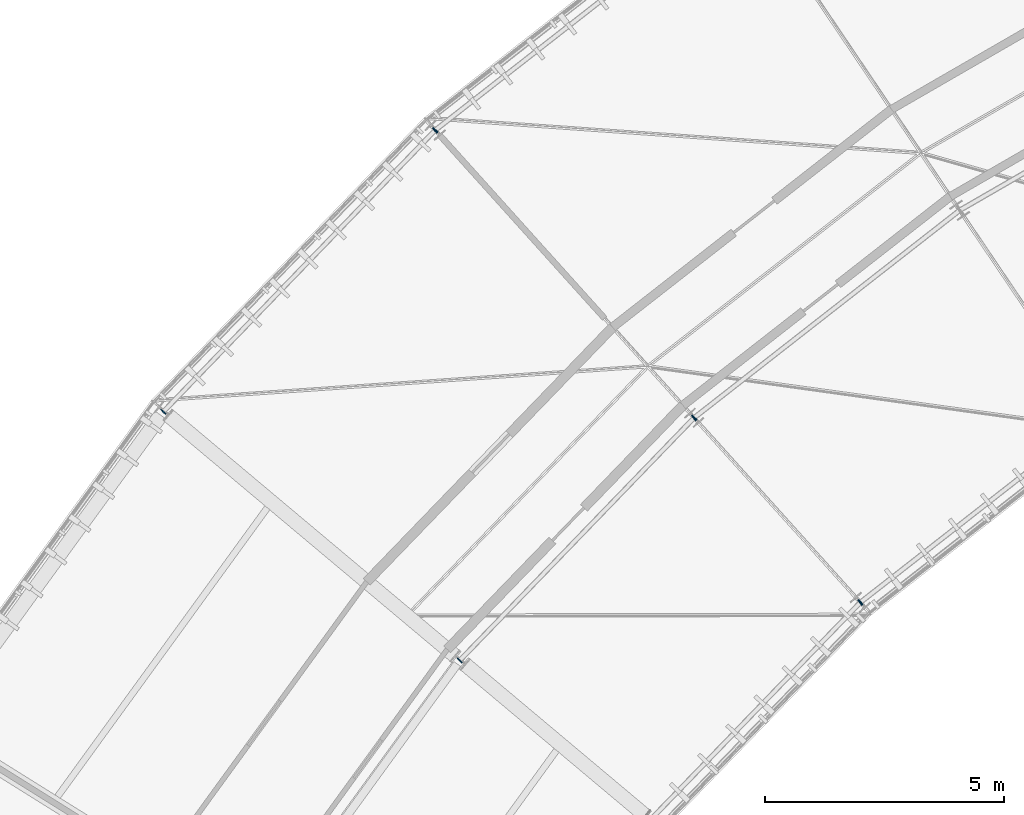
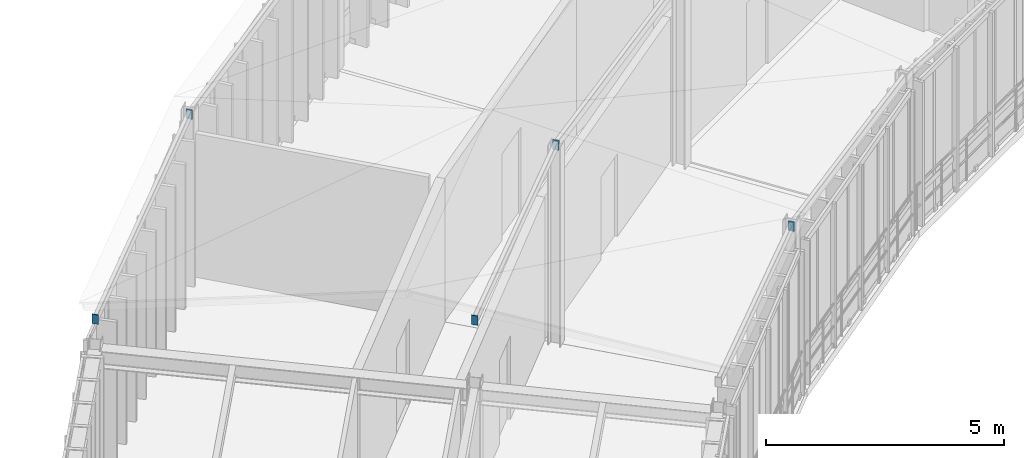
# One storey, part 15 of 25: 8 plates.
"""IFC4 building model written with IfcOpenShell, lengths in metres."""

import ifcopenshell
import ifcopenshell.guid

model = None  # the IFC model being written
_history = None  # IfcOwnerHistory: only IFC2X3 demands one
_inside = {}  # id of a spatial element -> (the spatial element, [elements in it])
_under = {}  # id of a project, library or spatial element -> (it, [spatial elements below it])
_declared = {}  # id of a project -> (the project, [libraries it declares])
_typed = {}  # id of a type object -> (the type object, [elements of that type])
_made_of = {}  # id of a material, layer set ... -> (it, [elements and type objects made of it])


def new_model(schema):
    """Start an empty IFC model of exactly this schema.

    Asked for "IFC4X3", IfcOpenShell would pick the latest addendum, in which some entities
    have other attributes; the version numbers below select the first issue.
    IFC2X3 requires an IfcOwnerHistory on every rooted entity: one is made here for all.
    """
    global model, _history
    if schema == "IFC4X3":
        model = ifcopenshell.file(schema_version=(4, 3, 0, 0))
    else:
        model = ifcopenshell.file(schema=schema)
    _inside.clear()
    _under.clear()
    _declared.clear()
    _typed.clear()
    _made_of.clear()
    _history = None
    if model.schema == "IFC2X3":
        org = make("IfcOrganization", Name="unknown")
        user = make(
            "IfcPersonAndOrganization",
            ThePerson=make("IfcPerson", FamilyName="unknown"),
            TheOrganization=org,
        )
        app = make(
            "IfcApplication",
            ApplicationDeveloper=org,
            Version="unknown",
            ApplicationFullName="unknown",
            ApplicationIdentifier="unknown",
        )
        _history = make(
            "IfcOwnerHistory",
            OwningUser=user,
            OwningApplication=app,
            ChangeAction="ADDED",
            CreationDate=0,
        )
    return model


def make(cls, **values):
    """One entity of the class cls with the attributes given. An attribute that is None is left unset."""
    return model.create_entity(
        cls, **{name: value for name, value in values.items() if value is not None}
    )


def rooted(cls, **values):
    """An entity with a GlobalId (a new one), such as an element, a storey or a relation."""
    return make(cls, GlobalId=ifcopenshell.guid.new(), OwnerHistory=_history, **values)


def si_unit(unit_type, name, prefix=None):
    """IfcSIUnit, for example si_unit("LENGTHUNIT", "METRE", prefix="MILLI")."""
    return make("IfcSIUnit", UnitType=unit_type, Prefix=prefix, Name=name)


def assignment(units):
    """IfcUnitAssignment: the units of a project."""
    return None if units is None else make("IfcUnitAssignment", Units=units)


def point(xyz):
    """IfcCartesianPoint."""
    return None if xyz is None else make("IfcCartesianPoint", Coordinates=xyz)


def direction(xyz):
    """IfcDirection."""
    return None if xyz is None else make("IfcDirection", DirectionRatios=xyz)


def frame(location, z_axis=None, x_axis=None):
    """IfcAxis2Placement3D, a coordinate frame: its origin and axes. An axis left out is left unset."""
    return make(
        "IfcAxis2Placement3D",
        Location=point(location),
        Axis=direction(z_axis),
        RefDirection=direction(x_axis),
    )


def frame_2d(location, x_axis=None):
    """IfcAxis2Placement2D, a coordinate frame in the plane: its origin and x axis."""
    return make(
        "IfcAxis2Placement2D", Location=point(location), RefDirection=direction(x_axis)
    )


def origin():
    """The frame at (0, 0, 0) with its axes left unset."""
    return frame((0.0, 0.0, 0.0))


def origin_2d():
    """The frame at (0, 0) in the plane with its x axis left unset."""
    return frame_2d((0.0, 0.0))


def place(relative_to, where):
    """IfcLocalPlacement: puts the frame where relative to a parent placement (None: the world)."""
    return make(
        "IfcLocalPlacement", PlacementRelTo=relative_to, RelativePlacement=where
    )


def context(
    kind, dimensions, precision=None, world=None, true_north=None, identifier=None
):
    """IfcGeometricRepresentationContext, for example the 3D "Model" context."""
    return make(
        "IfcGeometricRepresentationContext",
        ContextIdentifier=identifier,
        ContextType=kind,
        CoordinateSpaceDimension=dimensions,
        Precision=precision,
        WorldCoordinateSystem=world,
        TrueNorth=true_north,
    )


def subcontext(parent, identifier, kind, view, scale=None):
    """IfcGeometricRepresentationSubContext, for example "Body" below "Model"."""
    return make(
        "IfcGeometricRepresentationSubContext",
        ContextIdentifier=identifier,
        ContextType=kind,
        ParentContext=parent,
        TargetScale=scale,
        TargetView=view,
    )


def project(units=None, contexts=None):
    """IfcProject with its units and contexts."""
    return rooted(
        "IfcProject",
        Name="project",
        RepresentationContexts=contexts,
        UnitsInContext=assignment(units),
    )


def spatial(cls, under=None, at=None, **own):
    """A site, building, storey or space (cls), placed at a placement, below another one or the project."""
    s = rooted(cls, ObjectPlacement=at, **own)
    if under is not None:
        _under.setdefault(under.id(), (under, []))[1].append(s)
    return s


def profile(cls, at=None, kind="AREA", **sizes):
    """A parametric profile (cls). Its sizes go by their IFC names, for example OverallWidth=200.0."""
    return make(cls, ProfileType=kind, Position=at, **sizes)


def rectangle(**sizes):
    """IfcRectangleProfileDef."""
    return profile("IfcRectangleProfileDef", **sizes)


def extrude(swept, where, along, depth):
    """IfcExtrudedAreaSolid: the profile swept, set in the frame where, extruded along a direction by depth."""
    return make(
        "IfcExtrudedAreaSolid",
        SweptArea=swept,
        Position=where,
        ExtrudedDirection=direction(along),
        Depth=depth,
    )


def shape(context_of_items, identifier, shape_type, items):
    """IfcShapeRepresentation: the items that make up one representation, for example the "Body"."""
    return make(
        "IfcShapeRepresentation",
        ContextOfItems=context_of_items,
        RepresentationIdentifier=identifier,
        RepresentationType=shape_type,
        Items=items,
    )


def material(Name=None, Category=None):
    """IfcMaterial."""
    return make("IfcMaterial", Name=Name, Category=Category)


def layer(
    of_material, thickness, ventilated=None, Name=None, Category=None, Priority=None
):
    """IfcMaterialLayer: one layer of a wall or slab, of a material (None: an air gap)."""
    return make(
        "IfcMaterialLayer",
        Material=of_material,
        LayerThickness=thickness,
        IsVentilated=ventilated,
        Name=Name,
        Category=Category,
        Priority=Priority,
    )


def layer_set(layers, Name=None):
    """IfcMaterialLayerSet."""
    return make("IfcMaterialLayerSet", MaterialLayers=layers, LayerSetName=Name)


def made_of(thing, what):
    """Note that an element or type object is made of a material, layer set ...; save() writes the relation."""
    if what is not None:
        _made_of.setdefault(what.id(), (what, []))[1].append(thing)
    return thing


def type_object(cls, material=None, **own):
    """A type object (cls), such as IfcWallType, which elements share."""
    return made_of(rooted(cls, **own), material)


def element(
    cls,
    number,
    at=None,
    inside=None,
    cuts=None,
    type_object=None,
    material=None,
    context=None,
    identifier="Body",
    shape_type=None,
    held_by="IfcProductDefinitionShape",
    body=None,
    shapes=None,
    **own,
):
    """One element of the class cls, such as IfcWall. Its Tag is "e" and its number.

    at: its placement. inside: the storey or other place that contains it. cuts: it is an
    opening in that element (IfcRelVoidsElement). A single representation is given by context,
    identifier, shape_type and body (its items); several are given by shapes. held_by: the class
    of the entity that holds the representations. save() writes the other relations.
    """
    e = rooted(cls, Tag="e%d" % number, ObjectPlacement=at, **own)
    if body is not None:
        shapes = [shape(context, identifier, shape_type, body)]
    if shapes is not None:
        e.Representation = make(held_by, Representations=shapes)
    if inside is not None:
        _inside.setdefault(inside.id(), (inside, []))[1].append(e)
    if cuts is not None:
        rooted(
            "IfcRelVoidsElement", RelatingBuildingElement=cuts, RelatedOpeningElement=e
        )
    if type_object is not None:
        _typed.setdefault(type_object.id(), (type_object, []))[1].append(e)
    return made_of(e, material)


def aggregate(whole, parts):
    """IfcRelAggregates: a whole, such as a stair, and the parts it consists of."""
    return rooted("IfcRelAggregates", RelatingObject=whole, RelatedObjects=parts)


def save(model, path):
    """Write the relations noted so far, then the file.

    IfcRelAggregates (storeys below a building ...), IfcRelContainedInSpatialStructure (elements
    in a storey), IfcRelDefinesByType, IfcRelAssociatesMaterial and IfcRelDeclares: one each for
    every whole, place, type object, material and project.
    """
    for whole, parts in _under.values():
        aggregate(whole, parts)
    for where, things in _inside.values():
        rooted(
            "IfcRelContainedInSpatialStructure",
            RelatedElements=things,
            RelatingStructure=where,
        )
    for kind, things in _typed.values():
        rooted("IfcRelDefinesByType", RelatedObjects=things, RelatingType=kind)
    for what, things in _made_of.values():
        rooted("IfcRelAssociatesMaterial", RelatedObjects=things, RelatingMaterial=what)
    for by, libraries in _declared.values():
        rooted("IfcRelDeclares", RelatingContext=by, RelatedDefinitions=libraries)
    model.write(path)


model = new_model("IFC4")

# Units and contexts
model_context = context("Model", 3, precision=1e-05, world=origin(), true_north=direction((0.0, 1.0)))
body_context = subcontext(model_context, "Body", "Model", "MODEL_VIEW")
ifc_project = project(units=[si_unit("LENGTHUNIT", "METRE"), si_unit("AREAUNIT", "SQUARE_METRE"), si_unit("VOLUMEUNIT", "CUBIC_METRE"), si_unit("PLANEANGLEUNIT", "RADIAN"), si_unit("MASSUNIT", "GRAM", prefix="KILO"), si_unit("THERMODYNAMICTEMPERATUREUNIT", "KELVIN"), si_unit("POWERUNIT", "WATT")], contexts=[model_context])

# Site, building, storey
site_placement = place(None, origin())
site = spatial("IfcSite", under=ifc_project, at=site_placement, CompositionType="ELEMENT")
building_placement = place(site_placement, origin())
building = spatial("IfcBuilding", under=site, at=building_placement, Name="Solvatero Civic Police Headquarters", CompositionType="ELEMENT")
storey_placement = place(building_placement, frame((0.0, 0.0, 25.5)))
storey = spatial("IfcBuildingStorey", under=building, at=storey_placement, Name="L06", CompositionType="ELEMENT", Elevation=25.5)

# Plates
ifc_material = material(Name="Steel S355", Category="steel")
ifc_layer = layer(ifc_material, 0.02001953125)
ifc_layer_set = layer_set([ifc_layer], Name="Steel S355")
plate_type = type_object("IfcPlateType", Name="PLT-CAP-20", PredefinedType="SHEET", material=ifc_layer_set)
for number, where, z_axis, x_axis, name in (
    (1, (63.64697265625, 59.6953125, 4.0), (0.0, 0.0, 1.0), (-0.788010753607, -0.615661475326, 0.0), "Hollow Section End Cap Plate 0202"),
    (2, (60.16748046875, 63.559814453125, 4.9580078125), (0.0, 0.0, 1.0), (-0.788021498807, -0.61564772185, 0.0), "Hollow Section End Cap Plate 0204"),
    (3, (54.74755859375, 69.5791015625, 4.0), (0.0, 0.0, 1.0), (-0.788000008167, -0.615675228614, 0.0), "Hollow Section End Cap Plate 0206"),
    (4, (63.661865234375, 59.708740234375, 4.0), (0.0, 0.0, 1.0), (-0.694658370459, -0.719339800339, 0.0), "Hollow Section End Cap Plate 0207"),
    (5, (60.182373046875, 63.5732421875, 4.9580078125), (0.0, 0.0, 1.0), (-0.694645815505, -0.719351924305, 0.0), "Hollow Section End Cap Plate 0209"),
    (6, (55.26953125, 58.485595703125, 5.2578125), (0.0, 0.0, 1.0), (-0.694645815505, -0.719351924305, 0.0), "Hollow Section End Cap Plate 0210"),
    (7, (54.762451171875, 69.592529296875, 4.0), (0.0, 0.0, 1.0), (-0.694658370459, -0.719339800339, 0.0), "Hollow Section End Cap Plate 0211"),
    (8, (49.064697265625, 63.6923828125, 4.2998046875), (0.0, 0.0, 1.0), (-0.694658370459, -0.719339800339, 0.0), "Hollow Section End Cap Plate 0212"),
):
    element("IfcPlate", number, at=place(storey_placement, frame(where, z_axis=z_axis, x_axis=x_axis)), inside=storey, type_object=plate_type, Name=name, PredefinedType="SHEET", context=body_context, shape_type="SweptSolid", body=[
        extrude(rectangle(XDim=0.02001953125, YDim=0.139892578125, at=origin_2d()), origin(), (0.0, 0.0, 1.0), 0.239990234375),
    ])

save(model, "model.ifc")
